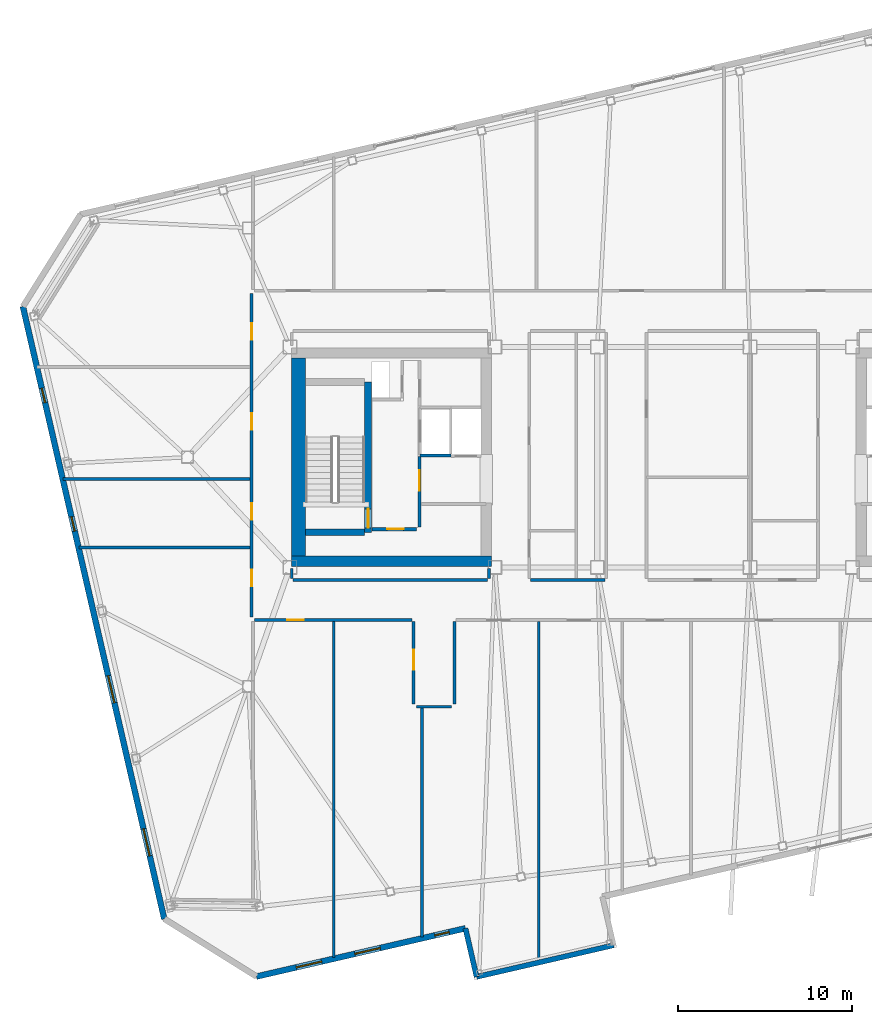
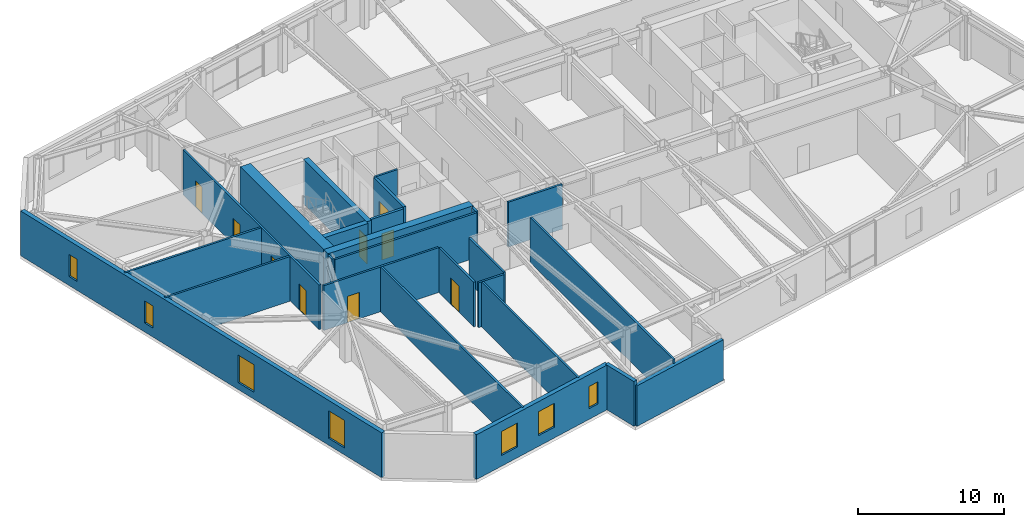
# One storey, part 14 of 21: 25 walls, 9 doors, 7 windows, 16 openings.
"""IFC4 building model written with IfcOpenShell, lengths in metres."""

from ifc_helpers import new_model, si_unit, direction, frame, frame_2d, origin, place, context, subcontext, project, spatial, rectangle, extrude, material, layer, layer_set, type_object, element, fill, save


model = new_model("IFC4")

# Units and contexts
model_context = context("Model", 3, precision=1e-05, world=origin(), true_north=direction((0.0, 1.0)))
body_context = subcontext(model_context, "Body", "Model", "MODEL_VIEW")
ifc_project = project(units=[si_unit("LENGTHUNIT", "METRE"), si_unit("AREAUNIT", "SQUARE_METRE"), si_unit("VOLUMEUNIT", "CUBIC_METRE"), si_unit("PLANEANGLEUNIT", "RADIAN"), si_unit("MASSUNIT", "GRAM", prefix="KILO")], contexts=[model_context])

# Site, building, storey
site_placement = place(None, origin())
site = spatial("IfcSite", under=ifc_project, at=site_placement, CompositionType="ELEMENT")
building_placement = place(site_placement, origin())
building = spatial("IfcBuilding", under=site, at=building_placement, Name="Tavrogorsk Clinical Tower", CompositionType="ELEMENT")
storey_placement = place(building_placement, frame((0.0, 0.0, 285.0)))
storey = spatial("IfcBuildingStorey", under=building, at=storey_placement, Name="L66", CompositionType="ELEMENT", Elevation=285.0)

# Wall, opening, door
ifc_material_1 = material(Name="Concrete B60", Category="concrete")
ifc_layer_1 = layer(ifc_material_1, 0.199951171875)
ifc_layer_set_1 = layer_set([ifc_layer_1], Name="Concrete B60")
wall_type_1 = type_object("IfcWallType", Name="CoreFireWall_200", PredefinedType="SOLIDWALL", material=ifc_layer_set_1)
wall_1_placement = place(storey_placement, frame((-17.3798828125, -4.139892578125, 0.0), z_axis=(0.0, 0.0, 1.0), x_axis=(1.0, 0.0, 0.0)))
wall_1 = element("IfcWall", 1, at=wall_1_placement, inside=storey, type_object=wall_type_1, Name="L66 Core West South Core Room Fire Wall", PredefinedType="SOLIDWALL", context=body_context, shape_type="SweptSolid", body=[
    extrude(rectangle(XDim=2.554931640625, YDim=0.199951171875, at=frame_2d((1.27734375, 0.0))), origin(), (0.0, 0.0, 1.0), 3.739990234375),
])
opening_1_placement = place(wall_1_placement, frame((0.8798828125, 0.0, 0.0)))
opening_1 = element("IfcOpeningElement", 2, at=opening_1_placement, cuts=wall_1, Name="Opening ID-02", PredefinedType="OPENING", context=body_context, shape_type="SweptSolid", body=[
    extrude(rectangle(XDim=0.949951171875, YDim=2.199951171875, at=frame_2d((0.47509765625, 1.10009765625))), frame((0.0, 0.10986328125, 0.0), z_axis=(0.0, -1.0, 0.0), x_axis=(1.0, 0.0, 0.0)), (0.0, 0.0, 1.0), 0.219970703125),
])
ifc_material_2 = material(Name="Laminated timber leaf on aluminium frame", Category="wood")
door_type_1 = type_object("IfcDoorType", Name="InteriorDoor_ID02_950", OperationType="NOTDEFINED", PredefinedType="DOOR", material=ifc_material_2)
door_1_placement = place(opening_1_placement, origin())
door_1 = element("IfcDoor", 3, at=door_1_placement, inside=storey, type_object=door_type_1, Name="L66 Core West South Core Room Door", OperationType="SINGLE_SWING_RIGHT", OverallHeight=2.199951171875, OverallWidth=0.949951171875, PredefinedType="DOOR", context=body_context, shape_type="SweptSolid", body=[
    extrude(rectangle(XDim=0.949951171875, YDim=2.199951171875, at=frame_2d((0.47509765625, 1.10009765625))), frame((0.0, 0.02490234375, 0.0), z_axis=(0.0, -1.0, 0.0), x_axis=(1.0, 0.0, 0.0)), (0.0, 0.0, 1.0), 0.050048828125),
])
fill(opening_1, door_1)

wall_2_placement = place(storey_placement, frame((-14.639892578125, -4.034912109375, 0.0), z_axis=(0.0, 0.0, 1.0), x_axis=(0.0, 1.0, 0.0)))
wall_2 = element("IfcWall", 4, at=wall_2_placement, inside=storey, type_object=wall_type_1, Name="L66 Core West Firefighting Lobby Fire Wall", PredefinedType="SOLIDWALL", context=body_context, shape_type="SweptSolid", body=[
    extrude(rectangle(XDim=4.074951171875, YDim=0.199951171875, at=frame_2d((2.03759765625, 0.0))), origin(), (0.0, 0.0, 1.0), 3.739990234375),
])
opening_2_placement = place(wall_2_placement, frame((2.090087890625, 0.0, 0.0)))
opening_2 = element("IfcOpeningElement", 5, at=opening_2_placement, cuts=wall_2, Name="Opening FD-01", PredefinedType="OPENING", context=body_context, shape_type="SweptSolid", body=[
    extrude(rectangle(XDim=1.199951171875, YDim=2.199951171875, at=frame_2d((0.60009765625, 1.10009765625))), frame((0.0, 0.10986328125, 0.0), z_axis=(0.0, -1.0, 0.0), x_axis=(1.0, 0.0, 0.0)), (0.0, 0.0, 1.0), 0.219970703125),
])
ifc_material_3 = material(Name="Galvanised steel fire-rated door assembly", Category="steel")
door_type_2 = type_object("IfcDoorType", Name="FireDoor_FD01_1200", OperationType="NOTDEFINED", PredefinedType="DOOR", material=ifc_material_3)
door_2_placement = place(opening_2_placement, origin())
door_2 = element("IfcDoor", 6, at=door_2_placement, inside=storey, type_object=door_type_2, Name="L66 Core West Firefighting Lobby Entry Door", OperationType="SINGLE_SWING_RIGHT", OverallHeight=2.199951171875, OverallWidth=1.199951171875, PredefinedType="DOOR", context=body_context, shape_type="SweptSolid", body=[
    extrude(rectangle(XDim=1.199951171875, YDim=2.199951171875, at=frame_2d((0.60009765625, 1.10009765625))), frame((0.0, 0.02490234375, 0.0), z_axis=(0.0, -1.0, 0.0), x_axis=(1.0, 0.0, 0.0)), (0.0, 0.0, 1.0), 0.050048828125),
])
fill(opening_2, door_2)

# Wall, openings, doors
ifc_material_4 = material(Name="Lightweight concrete blockwork B15", Category="masonry")
ifc_layer_2 = layer(ifc_material_4, 0.159912109375)
ifc_layer_set_2 = layer_set([ifc_layer_2], Name="Lightweight concrete blockwork B15")
wall_type_2 = type_object("IfcWallType", Name="PartitionWall_160", PredefinedType="PARTITIONING", material=ifc_layer_set_2)
wall_3_placement = place(storey_placement, frame((-24.31005859375, -9.215087890625, 0.0), z_axis=(0.0, 0.0, 1.0), x_axis=(0.0, 1.0, 0.0)))
wall_3 = element("IfcWall", 7, at=wall_3_placement, inside=storey, type_object=wall_type_2, Name="L66 Corridor Partition 01", PredefinedType="PARTITIONING", context=body_context, shape_type="SweptSolid", body=[
    extrude(rectangle(XDim=18.630126953125, YDim=0.159912109375, at=frame_2d((9.31494140625, 0.0))), origin(), (0.0, 0.0, 1.0), 3.739990234375),
])
opening_3_placement = place(wall_3_placement, frame((1.76904296875, 0.0, 0.0)))
opening_3 = element("IfcOpeningElement", 8, at=opening_3_placement, cuts=wall_3, Name="Opening ID-02", PredefinedType="OPENING", context=body_context, shape_type="SweptSolid", body=[
    extrude(rectangle(XDim=0.949951171875, YDim=2.199951171875, at=frame_2d((0.47509765625, 1.10009765625))), frame((0.0, 0.08984375, 0.0), z_axis=(0.0, -1.0, 0.0), x_axis=(1.0, 0.0, 0.0)), (0.0, 0.0, 1.0), 0.179931640625),
])
opening_4_placement = place(wall_3_placement, frame((5.60009765625, 0.0, 0.0)))
opening_4 = element("IfcOpeningElement", 9, at=opening_4_placement, cuts=wall_3, Name="Opening ID-02", PredefinedType="OPENING", context=body_context, shape_type="SweptSolid", body=[
    extrude(rectangle(XDim=0.949951171875, YDim=2.199951171875, at=frame_2d((0.47509765625, 1.10009765625))), frame((0.0, 0.08984375, 0.0), z_axis=(0.0, -1.0, 0.0), x_axis=(1.0, 0.0, 0.0)), (0.0, 0.0, 1.0), 0.179931640625),
])
opening_5_placement = place(wall_3_placement, frame((10.800048828125, 0.0, 0.0)))
opening_5 = element("IfcOpeningElement", 10, at=opening_5_placement, cuts=wall_3, Name="Opening ID-02", PredefinedType="OPENING", context=body_context, shape_type="SweptSolid", body=[
    extrude(rectangle(XDim=0.949951171875, YDim=2.199951171875, at=frame_2d((0.47509765625, 1.10009765625))), frame((0.0, 0.08984375, 0.0), z_axis=(0.0, -1.0, 0.0), x_axis=(1.0, 0.0, 0.0)), (0.0, 0.0, 1.0), 0.179931640625),
])
opening_6_placement = place(wall_3_placement, frame((15.98095703125, 0.0, 0.0)))
opening_6 = element("IfcOpeningElement", 11, at=opening_6_placement, cuts=wall_3, Name="Opening ID-02", PredefinedType="OPENING", context=body_context, shape_type="SweptSolid", body=[
    extrude(rectangle(XDim=0.949951171875, YDim=2.199951171875, at=frame_2d((0.47509765625, 1.10009765625))), frame((0.0, 0.08984375, 0.0), z_axis=(0.0, -1.0, 0.0), x_axis=(1.0, 0.0, 0.0)), (0.0, 0.0, 1.0), 0.179931640625),
])
door_3_placement = place(opening_3_placement, origin())
door_3 = element("IfcDoor", 12, at=door_3_placement, inside=storey, type_object=door_type_1, Name="L66 W Solarium Day Room & Lounge 1 Door", OperationType="SINGLE_SWING_LEFT", OverallHeight=2.199951171875, OverallWidth=0.949951171875, PredefinedType="DOOR", context=body_context, shape_type="SweptSolid", body=[
    extrude(rectangle(XDim=0.949951171875, YDim=2.199951171875, at=frame_2d((0.47509765625, 1.10009765625))), frame((0.0, 0.02490234375, 0.0), z_axis=(0.0, -1.0, 0.0), x_axis=(1.0, 0.0, 0.0)), (0.0, 0.0, 1.0), 0.050048828125),
])
fill(opening_3, door_3)
door_4_placement = place(opening_4_placement, origin())
door_4 = element("IfcDoor", 13, at=door_4_placement, inside=storey, type_object=door_type_1, Name="L66 W Rehabilitation Therapy Suite 2 Door", OperationType="SINGLE_SWING_RIGHT", OverallHeight=2.199951171875, OverallWidth=0.949951171875, PredefinedType="DOOR", context=body_context, shape_type="SweptSolid", body=[
    extrude(rectangle(XDim=0.949951171875, YDim=2.199951171875, at=frame_2d((0.47509765625, 1.10009765625))), frame((0.0, 0.02490234375, 0.0), z_axis=(0.0, -1.0, 0.0), x_axis=(1.0, 0.0, 0.0)), (0.0, 0.0, 1.0), 0.050048828125),
])
fill(opening_4, door_4)
door_5_placement = place(opening_5_placement, origin())
door_5 = element("IfcDoor", 14, at=door_5_placement, inside=storey, type_object=door_type_1, Name="L66 W Sub-Acute Observation Suite 3 Door", OperationType="SINGLE_SWING_LEFT", OverallHeight=2.199951171875, OverallWidth=0.949951171875, PredefinedType="DOOR", context=body_context, shape_type="SweptSolid", body=[
    extrude(rectangle(XDim=0.949951171875, YDim=2.199951171875, at=frame_2d((0.47509765625, 1.10009765625))), frame((0.0, 0.02490234375, 0.0), z_axis=(0.0, -1.0, 0.0), x_axis=(1.0, 0.0, 0.0)), (0.0, 0.0, 1.0), 0.050048828125),
])
fill(opening_5, door_5)
door_6_placement = place(opening_6_placement, origin())
door_6 = element("IfcDoor", 15, at=door_6_placement, inside=storey, type_object=door_type_1, Name="L66 W Family Consultation Lounge 4 Door", OperationType="SINGLE_SWING_RIGHT", OverallHeight=2.199951171875, OverallWidth=0.949951171875, PredefinedType="DOOR", context=body_context, shape_type="SweptSolid", body=[
    extrude(rectangle(XDim=0.949951171875, YDim=2.199951171875, at=frame_2d((0.47509765625, 1.10009765625))), frame((0.0, 0.02490234375, 0.0), z_axis=(0.0, -1.0, 0.0), x_axis=(1.0, 0.0, 0.0)), (0.0, 0.0, 1.0), 0.050048828125),
])
fill(opening_6, door_6)

# Walls
wall_4_placement = place(storey_placement, frame((-12.6201171875, -9.465087890625, 0.0), z_axis=(0.0, 0.0, 1.0), x_axis=(0.0, -1.0, 0.0)))
element("IfcWall", 16, at=wall_4_placement, inside=storey, type_object=wall_type_2, Name="L66 Corridor Partition 05", PredefinedType="PARTITIONING", context=body_context, shape_type="SweptSolid", body=[
    extrude(rectangle(XDim=4.75, YDim=0.159912109375, at=frame_2d((2.375, 0.0))), origin(), (0.0, 0.0, 1.0), 3.739990234375),
])
wall_5_placement = place(storey_placement, frame((-12.784912109375, -14.3798828125, 0.0), z_axis=(0.0, 0.0, 1.0), x_axis=(-1.0, 0.0, 0.0)))
element("IfcWall", 17, at=wall_5_placement, inside=storey, type_object=wall_type_2, Name="L66 Corridor Partition 06", PredefinedType="PARTITIONING", context=body_context, shape_type="SweptSolid", body=[
    extrude(rectangle(XDim=2.030029296875, YDim=0.159912109375, at=frame_2d((1.01513671875, 0.0))), origin(), (0.0, 0.0, 1.0), 3.739990234375),
])

# Wall, opening, door
wall_6_placement = place(storey_placement, frame((-14.97998046875, -14.215087890625, 0.0), z_axis=(0.0, 0.0, 1.0), x_axis=(0.0, 1.0, 0.0)))
wall_6 = element("IfcWall", 18, at=wall_6_placement, inside=storey, type_object=wall_type_2, Name="L66 Corridor Partition 07", PredefinedType="PARTITIONING", context=body_context, shape_type="SweptSolid", body=[
    extrude(rectangle(XDim=4.75, YDim=0.159912109375, at=frame_2d((2.375, 0.0))), origin(), (0.0, 0.0, 1.0), 3.739990234375),
])
opening_7_placement = place(wall_6_placement, frame((1.985107421875, 0.0, 0.0)))
opening_7 = element("IfcOpeningElement", 19, at=opening_7_placement, cuts=wall_6, Name="Opening ID-06", PredefinedType="OPENING", context=body_context, shape_type="SweptSolid", body=[
    extrude(rectangle(XDim=1.14990234375, YDim=2.199951171875, at=frame_2d((0.574951171875, 1.10009765625))), frame((0.0, 0.08984375, 0.0), z_axis=(0.0, -1.0, 0.0), x_axis=(1.0, 0.0, 0.0)), (0.0, 0.0, 1.0), 0.179931640625),
])
ifc_material_5 = material(Name="Antibacterial HPL procedure door on aluminium frame", Category="aluminium")
door_type_3 = type_object("IfcDoorType", Name="LabDoor_ID06_1150", OperationType="NOTDEFINED", PredefinedType="DOOR", material=ifc_material_5)
door_7_placement = place(opening_7_placement, origin())
door_7 = element("IfcDoor", 20, at=door_7_placement, inside=storey, type_object=door_type_3, Name="L66 South Attending Physician Office 02 Door", OperationType="SINGLE_SWING_RIGHT", OverallHeight=2.199951171875, OverallWidth=1.14990234375, PredefinedType="DOOR", context=body_context, shape_type="SweptSolid", body=[
    extrude(rectangle(XDim=1.14990234375, YDim=2.199951171875, at=frame_2d((0.574951171875, 1.10009765625))), frame((0.0, 0.02490234375, 0.0), z_axis=(0.0, -1.0, 0.0), x_axis=(1.0, 0.0, 0.0)), (0.0, 0.0, 1.0), 0.050048828125),
])
fill(opening_7, door_7)

wall_7_placement = place(storey_placement, frame((-15.06494140625, -9.3798828125, 0.0), z_axis=(0.0, 0.0, 1.0), x_axis=(-1.0, 0.0, 0.0)))
wall_7 = element("IfcWall", 21, at=wall_7_placement, inside=storey, type_object=wall_type_2, Name="L66 Corridor Partition 08", PredefinedType="PARTITIONING", context=body_context, shape_type="SweptSolid", body=[
    extrude(rectangle(XDim=9.080078125, YDim=0.159912109375, at=frame_2d((4.5400390625, 0.0))), origin(), (0.0, 0.0, 1.0), 3.739990234375),
])
opening_8_placement = place(wall_7_placement, frame((6.255859375, 0.0, 0.0)))
opening_8 = element("IfcOpeningElement", 22, at=opening_8_placement, cuts=wall_7, Name="Opening ID-02", PredefinedType="OPENING", context=body_context, shape_type="SweptSolid", body=[
    extrude(rectangle(XDim=0.949951171875, YDim=2.199951171875, at=frame_2d((0.47509765625, 1.10009765625))), frame((0.0, 0.08984375, 0.0), z_axis=(0.0, -1.0, 0.0), x_axis=(1.0, 0.0, 0.0)), (0.0, 0.0, 1.0), 0.179931640625),
])
door_8_placement = place(opening_8_placement, origin())
door_8 = element("IfcDoor", 23, at=door_8_placement, inside=storey, type_object=door_type_1, Name="L66 South Cardiology Diagnostics Room 01 Door", OperationType="SINGLE_SWING_LEFT", OverallHeight=2.199951171875, OverallWidth=0.949951171875, PredefinedType="DOOR", context=body_context, shape_type="SweptSolid", body=[
    extrude(rectangle(XDim=0.949951171875, YDim=2.199951171875, at=frame_2d((0.47509765625, 1.10009765625))), frame((0.0, 0.02490234375, 0.0), z_axis=(0.0, -1.0, 0.0), x_axis=(1.0, 0.0, 0.0)), (0.0, 0.0, 1.0), 0.050048828125),
])
fill(opening_8, door_8)

# Walls
wall_8_placement = place(storey_placement, frame((-8.235107421875, -7.070068359375, 0.0), z_axis=(0.0, 0.0, 1.0), x_axis=(1.0, 0.0, 0.0)))
element("IfcWall", 24, at=wall_8_placement, inside=storey, type_object=wall_type_2, Name="L66 Corridor Partition 22", PredefinedType="PARTITIONING", context=body_context, shape_type="SweptSolid", body=[
    extrude(rectangle(XDim=4.27001953125, YDim=0.159912109375, at=frame_2d((2.135009765625, 0.0))), origin(), (0.0, 0.0, 1.0), 3.739990234375),
])
for number, where, z_axis, x_axis, name in (
    (25, (-10.6298828125, -6.985107421875, 0.0), (0.0, 0.0, 1.0), (0.0, 1.0, 0.0), "L66 Corridor Partition 23"),
    (26, (-22.0, -6.419921875, 0.0), (0.0, 0.0, 1.0), (0.0, -1.0, 0.0), "L66 Corridor Partition 27"),
):
    element("IfcWall", number, at=place(storey_placement, frame(where, z_axis=z_axis, x_axis=x_axis)), inside=storey, type_object=wall_type_2, Name=name, PredefinedType="PARTITIONING", context=body_context, shape_type="SweptSolid", body=[
        extrude(rectangle(XDim=0.565185546875, YDim=0.159912109375, at=frame_2d((0.28271484375, 0.0))), origin(), (0.0, 0.0, 1.0), 3.739990234375),
    ])
wall_9_placement = place(storey_placement, frame((-21.9150390625, -7.070068359375, 0.0), z_axis=(0.0, 0.0, 1.0), x_axis=(1.0, 0.0, 0.0)))
element("IfcWall", 27, at=wall_9_placement, inside=storey, type_object=wall_type_2, Name="L66 Corridor Partition 28", PredefinedType="PARTITIONING", context=body_context, shape_type="SweptSolid", body=[
    extrude(rectangle(XDim=11.199951171875, YDim=0.159912109375, at=frame_2d((5.60009765625, 0.0))), origin(), (0.0, 0.0, 1.0), 3.739990234375),
])
wall_10_placement = place(storey_placement, frame((-19.580078125, -28.817138671875, 0.0), z_axis=(0.0, 0.0, 1.0), x_axis=(0.0, 1.0, 0.0)))
element("IfcWall", 28, at=wall_10_placement, inside=storey, type_object=wall_type_2, Name="L66 South Room Partition 1", PredefinedType="PARTITIONING", context=body_context, shape_type="SweptSolid", body=[
    extrude(rectangle(XDim=19.35205078125, YDim=0.159912109375, at=frame_2d((9.676025390625, 0.0))), origin(), (0.0, 0.0, 1.0), 3.739990234375),
])
wall_11_placement = place(storey_placement, frame((-14.5, -27.644287109375, 0.0), z_axis=(0.0, 0.0, 1.0), x_axis=(0.0, 1.0, 0.0)))
element("IfcWall", 29, at=wall_11_placement, inside=storey, type_object=wall_type_2, Name="L66 South Room Partition 2", PredefinedType="PARTITIONING", context=body_context, shape_type="SweptSolid", body=[
    extrude(rectangle(XDim=13.25927734375, YDim=0.159912109375, at=frame_2d((6.629638671875, 0.0))), origin(), (0.0, 0.0, 1.0), 3.739990234375),
])
wall_12_placement = place(storey_placement, frame((-7.77001953125, -29.015380859375, 0.0), z_axis=(0.0, 0.0, 1.0), x_axis=(0.0, 1.0, 0.0)))
element("IfcWall", 30, at=wall_12_placement, inside=storey, type_object=wall_type_2, Name="L66 South Sub-Partition 3", PredefinedType="PARTITIONING", context=body_context, shape_type="SweptSolid", body=[
    extrude(rectangle(XDim=19.55029296875, YDim=0.159912109375, at=frame_2d((9.775146484375, 0.0))), origin(), (0.0, 0.0, 1.0), 3.739990234375),
])
wall_13_placement = place(storey_placement, frame((-34.26171875, -5.199951171875, 0.0), z_axis=(0.0, 0.0, 1.0), x_axis=(1.0, 0.0, 0.0)))
element("IfcWall", 31, at=wall_13_placement, inside=storey, type_object=wall_type_2, Name="L66 W Wing Divider 1", PredefinedType="PARTITIONING", context=body_context, shape_type="SweptSolid", body=[
    extrude(rectangle(XDim=9.86669921875, YDim=0.159912109375, at=frame_2d((4.933349609375, 0.0))), origin(), (0.0, 0.0, 1.0), 3.739990234375),
])
wall_14_placement = place(storey_placement, frame((-35.173583984375, -1.25, 0.0), z_axis=(0.0, 0.0, 1.0), x_axis=(1.0, 0.0, 0.0)))
element("IfcWall", 32, at=wall_14_placement, inside=storey, type_object=wall_type_2, Name="L66 W Wing Divider 2", PredefinedType="PARTITIONING", context=body_context, shape_type="SweptSolid", body=[
    extrude(rectangle(XDim=10.778564453125, YDim=0.159912109375, at=frame_2d((5.38916015625, 0.0))), origin(), (0.0, 0.0, 1.0), 3.739990234375),
])

# Wall, openings, windows
ifc_material_6 = material(Name="Precast concrete B45 with limestone cladding", Category="masonry")
ifc_layer_3 = layer(ifc_material_6, 0.340087890625)
ifc_layer_set_3 = layer_set([ifc_layer_3], Name="Precast concrete B45 with limestone cladding")
wall_type_3 = type_object("IfcWallType", Name="PrecastLimestoneWall_340", PredefinedType="STANDARD", material=ifc_layer_set_3)
wall_15_placement = place(storey_placement, frame((-24.029541015625, -29.916259765625, 0.0), z_axis=(0.0, 0.0, 1.0), x_axis=(0.974371201193, 0.224946131964, 0.0)))
wall_15 = element("IfcWall", 33, at=wall_15_placement, inside=storey, type_object=wall_type_3, Name="L66 S Limestone Facade Wall 1", PredefinedType="STANDARD", context=body_context, shape_type="SweptSolid", body=[
    extrude(rectangle(XDim=12.349853515625, YDim=0.340087890625, at=frame_2d((6.1748046875, 0.0))), origin(), (0.0, 0.0, 1.0), 3.739990234375),
])
opening_9_placement = place(wall_15_placement, frame((2.35009765625, 0.0, 0.89990234375)))
opening_9 = element("IfcOpeningElement", 34, at=opening_9_placement, cuts=wall_15, Name="Opening WN-05", PredefinedType="OPENING", context=body_context, shape_type="SweptSolid", body=[
    extrude(rectangle(XDim=1.5, YDim=2.0, at=frame_2d((0.75, 1.0))), frame((0.0, 0.179931640625, 0.0), z_axis=(0.0, -1.0, 0.0), x_axis=(1.0, 0.0, 0.0)), (0.0, 0.0, 1.0), 0.360107421875),
])
opening_10_placement = place(wall_15_placement, frame((5.81689453125, 0.0, 0.89990234375)))
opening_10 = element("IfcOpeningElement", 35, at=opening_10_placement, cuts=wall_15, Name="Opening WN-05", PredefinedType="OPENING", context=body_context, shape_type="SweptSolid", body=[
    extrude(rectangle(XDim=1.5, YDim=2.0, at=frame_2d((0.75, 1.0))), frame((0.0, 0.179931640625, 0.0), z_axis=(0.0, -1.0, 0.0), x_axis=(1.0, 0.0, 0.0)), (0.0, 0.0, 1.0), 0.360107421875),
])
opening_11_placement = place(wall_15_placement, frame((10.53662109375, 0.0, 0.89990234375)))
opening_11 = element("IfcOpeningElement", 36, at=opening_11_placement, cuts=wall_15, Name="Opening WN-06", PredefinedType="OPENING", context=body_context, shape_type="SweptSolid", body=[
    extrude(rectangle(XDim=0.85009765625, YDim=1.85009765625, at=frame_2d((0.425048828125, 0.925048828125))), frame((0.0, 0.179931640625, 0.0), z_axis=(0.0, -1.0, 0.0), x_axis=(1.0, 0.0, 0.0)), (0.0, 0.0, 1.0), 0.360107421875),
])
ifc_material_7 = material(Name="Thermally broken aluminium frame and triple IGU", Category="aluminium")
window_type_1 = type_object("IfcWindowType", Name="ConsultWin_1500x2000", PartitioningType="SINGLE_PANEL", PredefinedType="WINDOW", material=ifc_material_7)
window_1_placement = place(opening_9_placement, origin())
window_1 = element("IfcWindow", 37, at=window_1_placement, inside=storey, type_object=window_type_1, Name="L66 S Chicago Window 01", OverallHeight=2.0, OverallWidth=1.5, PartitioningType="SINGLE_PANEL", PredefinedType="WINDOW", context=body_context, shape_type="SweptSolid", body=[
    extrude(rectangle(XDim=1.5, YDim=2.0, at=frame_2d((0.75, 1.0))), frame((0.0, 0.030029296875, 0.0), z_axis=(0.0, -1.0, 0.0), x_axis=(1.0, 0.0, 0.0)), (0.0, 0.0, 1.0), 0.06005859375),
])
fill(opening_9, window_1)
window_2_placement = place(opening_10_placement, origin())
window_2 = element("IfcWindow", 38, at=window_2_placement, inside=storey, type_object=window_type_1, Name="L66 S Chicago Window 02", OverallHeight=2.0, OverallWidth=1.5, PartitioningType="SINGLE_PANEL", PredefinedType="WINDOW", context=body_context, shape_type="SweptSolid", body=[
    extrude(rectangle(XDim=1.5, YDim=2.0, at=frame_2d((0.75, 1.0))), frame((0.0, 0.030029296875, 0.0), z_axis=(0.0, -1.0, 0.0), x_axis=(1.0, 0.0, 0.0)), (0.0, 0.0, 1.0), 0.06005859375),
])
fill(opening_10, window_2)
ifc_material_8 = material(Name="Thermally broken aluminium frame and triple IGU", Category="aluminium")
window_type_2 = type_object("IfcWindowType", Name="MullionSubWin_850x1850", PartitioningType="SINGLE_PANEL", PredefinedType="WINDOW", material=ifc_material_8)
window_3_placement = place(opening_11_placement, origin())
window_3 = element("IfcWindow", 39, at=window_3_placement, inside=storey, type_object=window_type_2, Name="L66 S Mullion Split Window 03B", OverallHeight=1.85009765625, OverallWidth=0.85009765625, PartitioningType="SINGLE_PANEL", PredefinedType="WINDOW", context=body_context, shape_type="SweptSolid", body=[
    extrude(rectangle(XDim=0.85009765625, YDim=1.85009765625, at=frame_2d((0.425048828125, 0.925048828125))), frame((0.0, 0.030029296875, 0.0), z_axis=(0.0, -1.0, 0.0), x_axis=(1.0, 0.0, 0.0)), (0.0, 0.0, 1.0), 0.06005859375),
])
fill(opening_11, window_3)

wall_16_placement = place(storey_placement, frame((-37.48583984375, 8.676025390625, 0.0), z_axis=(0.0, 0.0, 1.0), x_axis=(0.224953091034, -0.974369594576, 0.0)))
wall_16 = element("IfcWall", 40, at=wall_16_placement, inside=storey, type_object=wall_type_3, Name="L66 W Pleated Limestone Wing Wall", PredefinedType="STANDARD", context=body_context, shape_type="SweptSolid", body=[
    extrude(rectangle(XDim=36.199951171875, YDim=0.340087890625, at=frame_2d((18.10009765625, 0.0))), origin(), (0.0, 0.0, 1.0), 3.739990234375),
])
opening_12_placement = place(wall_16_placement, frame((4.824951171875, 0.0, 0.75)))
opening_12 = element("IfcOpeningElement", 41, at=opening_12_placement, cuts=wall_16, Name="Opening WN-06", PredefinedType="OPENING", context=body_context, shape_type="SweptSolid", body=[
    extrude(rectangle(XDim=0.85009765625, YDim=1.85009765625, at=frame_2d((0.425048828125, 0.925048828125))), frame((0.0, 0.179931640625, 0.0), z_axis=(0.0, -1.0, 0.0), x_axis=(1.0, 0.0, 0.0)), (0.0, 0.0, 1.0), 0.360107421875),
])
opening_13_placement = place(wall_16_placement, frame((12.425048828125, 0.0, 0.75)))
opening_13 = element("IfcOpeningElement", 42, at=opening_13_placement, cuts=wall_16, Name="Opening WN-06", PredefinedType="OPENING", context=body_context, shape_type="SweptSolid", body=[
    extrude(rectangle(XDim=0.85009765625, YDim=1.85009765625, at=frame_2d((0.425048828125, 0.925048828125))), frame((0.0, 0.179931640625, 0.0), z_axis=(0.0, -1.0, 0.0), x_axis=(1.0, 0.0, 0.0)), (0.0, 0.0, 1.0), 0.360107421875),
])
opening_14_placement = place(wall_16_placement, frame((21.824951171875, 0.0, 0.580078125)))
opening_14 = element("IfcOpeningElement", 43, at=opening_14_placement, cuts=wall_16, Name="Opening WN-07", PredefinedType="OPENING", context=body_context, shape_type="SweptSolid", body=[
    extrude(rectangle(XDim=1.60009765625, YDim=2.300048828125, at=frame_2d((0.800048828125, 1.14990234375))), frame((0.0, 0.179931640625, 0.0), z_axis=(0.0, -1.0, 0.0), x_axis=(1.0, 0.0, 0.0)), (0.0, 0.0, 1.0), 0.360107421875),
])
opening_15_placement = place(wall_16_placement, frame((30.875, 0.0, 0.580078125)))
opening_15 = element("IfcOpeningElement", 44, at=opening_15_placement, cuts=wall_16, Name="Opening WN-07", PredefinedType="OPENING", context=body_context, shape_type="SweptSolid", body=[
    extrude(rectangle(XDim=1.60009765625, YDim=2.300048828125, at=frame_2d((0.800048828125, 1.14990234375))), frame((0.0, 0.179931640625, 0.0), z_axis=(0.0, -1.0, 0.0), x_axis=(1.0, 0.0, 0.0)), (0.0, 0.0, 1.0), 0.360107421875),
])
window_4_placement = place(opening_12_placement, origin())
window_4 = element("IfcWindow", 45, at=window_4_placement, inside=storey, type_object=window_type_2, Name="L66 W Pleat Mullion Window 1B", OverallHeight=1.85009765625, OverallWidth=0.85009765625, PartitioningType="SINGLE_PANEL", PredefinedType="WINDOW", context=body_context, shape_type="SweptSolid", body=[
    extrude(rectangle(XDim=0.85009765625, YDim=1.85009765625, at=frame_2d((0.425048828125, 0.925048828125))), frame((0.0, 0.030029296875, 0.0), z_axis=(0.0, -1.0, 0.0), x_axis=(1.0, 0.0, 0.0)), (0.0, 0.0, 1.0), 0.06005859375),
])
fill(opening_12, window_4)
window_5_placement = place(opening_13_placement, origin())
window_5 = element("IfcWindow", 46, at=window_5_placement, inside=storey, type_object=window_type_2, Name="L66 W Pleat Mullion Window 2A", OverallHeight=1.85009765625, OverallWidth=0.85009765625, PartitioningType="SINGLE_PANEL", PredefinedType="WINDOW", context=body_context, shape_type="SweptSolid", body=[
    extrude(rectangle(XDim=0.85009765625, YDim=1.85009765625, at=frame_2d((0.425048828125, 0.925048828125))), frame((0.0, 0.030029296875, 0.0), z_axis=(0.0, -1.0, 0.0), x_axis=(1.0, 0.0, 0.0)), (0.0, 0.0, 1.0), 0.06005859375),
])
fill(opening_13, window_5)
ifc_material_9 = material(Name="Thermally broken aluminium frame and triple IGU", Category="aluminium")
window_type_3 = type_object("IfcWindowType", Name="PleatSlotWin_1600x2300", PartitioningType="SINGLE_PANEL", PredefinedType="WINDOW", material=ifc_material_9)
window_6_placement = place(opening_14_placement, origin())
window_6 = element("IfcWindow", 47, at=window_6_placement, inside=storey, type_object=window_type_3, Name="L66 W Pleat Slot Window 3", OverallHeight=2.300048828125, OverallWidth=1.60009765625, PartitioningType="SINGLE_PANEL", PredefinedType="WINDOW", context=body_context, shape_type="SweptSolid", body=[
    extrude(rectangle(XDim=1.60009765625, YDim=2.300048828125, at=frame_2d((0.800048828125, 1.14990234375))), frame((0.0, 0.030029296875, 0.0), z_axis=(0.0, -1.0, 0.0), x_axis=(1.0, 0.0, 0.0)), (0.0, 0.0, 1.0), 0.06005859375),
])
fill(opening_14, window_6)
window_7_placement = place(opening_15_placement, origin())
window_7 = element("IfcWindow", 48, at=window_7_placement, inside=storey, type_object=window_type_3, Name="L66 W Pleat Slot Window 4", OverallHeight=2.300048828125, OverallWidth=1.60009765625, PartitioningType="SINGLE_PANEL", PredefinedType="WINDOW", context=body_context, shape_type="SweptSolid", body=[
    extrude(rectangle(XDim=1.60009765625, YDim=2.300048828125, at=frame_2d((0.800048828125, 1.14990234375))), frame((0.0, 0.030029296875, 0.0), z_axis=(0.0, -1.0, 0.0), x_axis=(1.0, 0.0, 0.0)), (0.0, 0.0, 1.0), 0.06005859375),
])
fill(opening_15, window_7)

# Walls
wall_17_placement = place(storey_placement, frame((-11.3505859375, -29.9345703125, 0.0), z_axis=(0.0, 0.0, 1.0), x_axis=(0.974366807022, 0.224965164799, 0.0)))
element("IfcWall", 49, at=wall_17_placement, inside=storey, type_object=wall_type_3, Name="L66 Day-Room Limestone Front DRB-09", PredefinedType="STANDARD", context=body_context, shape_type="SweptSolid", body=[
    extrude(rectangle(XDim=8.10009765625, YDim=0.300048828125, at=frame_2d((4.050048828125, 0.0))), origin(), (0.0, 0.0, 1.0), 3.385009765625),
])
ifc_material_10 = material(Name="Lightweight concrete blockwork B25", Category="masonry")
ifc_layer_4 = layer(ifc_material_10, 0.159912109375)
ifc_layer_set_4 = layer_set([ifc_layer_4], Name="Lightweight concrete blockwork B25")
wall_type_4 = type_object("IfcWallType", Name="ShaftWall_160", PredefinedType="PARTITIONING", material=ifc_layer_set_4)
wall_18_placement = place(storey_placement, frame((-14.60009765625, 0.10009765625, 0.0), z_axis=(0.0, 0.0, 1.0), x_axis=(1.0, 0.0, 0.0)))
element("IfcWall", 50, at=wall_18_placement, inside=storey, type_object=wall_type_4, Name="L66 FFL-W Shaft South Wall", PredefinedType="PARTITIONING", context=body_context, shape_type="SweptSolid", body=[
    extrude(rectangle(XDim=1.760009765625, YDim=0.159912109375, at=frame_2d((0.8798828125, 0.0))), origin(), (0.0, 0.0, 1.0), 3.739990234375),
])

# Wall, opening, door
ifc_material_11 = material(Name="Concrete B80", Category="concrete")
ifc_layer_5 = layer(ifc_material_11, 0.39990234375)
ifc_layer_set_5 = layer_set([ifc_layer_5], Name="Concrete B80")
wall_type_5 = type_object("IfcWallType", Name="ShearWall_400", PredefinedType="SHEAR", material=ifc_layer_set_5)
wall_19_placement = place(storey_placement, frame((-17.60009765625, -4.324951171875, 0.0), z_axis=(0.0, 0.0, 1.0), x_axis=(0.0, 1.0, 0.0)))
wall_19 = element("IfcWall", 51, at=wall_19_placement, inside=storey, type_object=wall_type_5, Name="L66 Core West Stair Shaft Inner Shear Wall", PredefinedType="SHEAR", context=body_context, shape_type="SweptSolid", body=[
    extrude(rectangle(XDim=8.64990234375, YDim=0.39990234375, at=frame_2d((4.324951171875, 0.0))), origin(), (0.0, 0.0, 1.0), 3.739990234375),
])
opening_16_placement = place(wall_19_placement, frame((0.25, 0.0, 0.0)))
opening_16 = element("IfcOpeningElement", 52, at=opening_16_placement, cuts=wall_19, Name="Opening SD-01", PredefinedType="OPENING", context=body_context, shape_type="SweptSolid", body=[
    extrude(rectangle(XDim=1.10009765625, YDim=2.199951171875, at=frame_2d((0.550048828125, 1.10009765625))), frame((0.0, 0.2099609375, 0.0), z_axis=(0.0, -1.0, 0.0), x_axis=(1.0, 0.0, 0.0)), (0.0, 0.0, 1.0), 0.419921875),
])
ifc_material_12 = material(Name="Galvanised steel smoke-tight fire door assembly", Category="steel")
door_type_4 = type_object("IfcDoorType", Name="StairFireDoor_SD01_1100", OperationType="NOTDEFINED", PredefinedType="DOOR", material=ifc_material_12)
door_9_placement = place(opening_16_placement, origin())
door_9 = element("IfcDoor", 53, at=door_9_placement, inside=storey, type_object=door_type_4, Name="L66 ST-W Exit Stair Door", OperationType="SINGLE_SWING_LEFT", OverallHeight=2.199951171875, OverallWidth=1.10009765625, PredefinedType="DOOR", context=body_context, shape_type="SweptSolid", body=[
    extrude(rectangle(XDim=1.10009765625, YDim=2.199951171875, at=frame_2d((0.550048828125, 1.10009765625))), frame((0.0, 0.02490234375, 0.0), z_axis=(0.0, -1.0, 0.0), x_axis=(1.0, 0.0, 0.0)), (0.0, 0.0, 1.0), 0.050048828125),
])
fill(opening_16, door_9)

# Walls
wall_20_placement = place(storey_placement, frame((-21.199951171875, -4.324951171875, 0.0), z_axis=(0.0, 0.0, 1.0), x_axis=(1.0, 0.0, 0.0)))
element("IfcWall", 54, at=wall_20_placement, inside=storey, type_object=wall_type_5, Name="L66 Core West Stair Shaft South Shear Wall", PredefinedType="SHEAR", context=body_context, shape_type="SweptSolid", body=[
    extrude(rectangle(XDim=3.39990234375, YDim=0.39990234375, at=frame_2d((1.699951171875, 0.0))), origin(), (0.0, 0.0, 1.0), 3.739990234375),
])
ifc_material_13 = material(Name="Concrete B80", Category="concrete")
ifc_layer_6 = layer(ifc_material_13, 0.60009765625)
ifc_layer_set_6 = layer_set([ifc_layer_6], Name="Concrete B80")
wall_type_6 = type_object("IfcWallType", Name="ShearWall_600", PredefinedType="SHEAR", material=ifc_layer_set_6)
wall_21_placement = place(storey_placement, frame((-22.0, -6.0, 0.0), z_axis=(0.0, 0.0, 1.0), x_axis=(1.0, 0.0, 0.0)))
element("IfcWall", 55, at=wall_21_placement, inside=storey, type_object=wall_type_6, Name="L66 Core West South Shear Wall", PredefinedType="SHEAR", context=body_context, shape_type="SweptSolid", body=[
    extrude(rectangle(XDim=11.5, YDim=0.60009765625, at=frame_2d((5.75, 0.0))), origin(), (0.0, 0.0, 1.0), 3.739990234375),
])
ifc_material_14 = material(Name="Concrete B80", Category="concrete")
ifc_layer_7 = layer(ifc_material_14, 0.800048828125)
ifc_layer_set_7 = layer_set([ifc_layer_7], Name="Concrete B80")
wall_type_7 = type_object("IfcWallType", Name="ShearWall_800", PredefinedType="SHEAR", material=ifc_layer_set_7)
wall_22_placement = place(storey_placement, frame((-21.60009765625, -5.699951171875, 0.0), z_axis=(0.0, 0.0, 1.0), x_axis=(0.0, 1.0, 0.0)))
element("IfcWall", 56, at=wall_22_placement, inside=storey, type_object=wall_type_7, Name="L66 Core West End Shear Wall", PredefinedType="SHEAR", context=body_context, shape_type="SweptSolid", body=[
    extrude(rectangle(XDim=11.39990234375, YDim=0.800048828125, at=frame_2d((5.699951171875, 0.0))), origin(), (0.0, 0.0, 1.0), 3.739990234375),
])
ifc_material_15 = material(Name="Precast concrete B45 with mineral wool", Category="concrete")
ifc_layer_8 = layer(ifc_material_15, 0.300048828125)
ifc_layer_set_8 = layer_set([ifc_layer_8], Name="Precast concrete B45 with mineral wool")
wall_type_8 = type_object("IfcWallType", Name="SpandrelBackWall_300", PredefinedType="STANDARD", material=ifc_layer_set_8)
wall_23_placement = place(storey_placement, frame((-11.99609375, -27.13818359375, 0.0), z_axis=(0.0, 0.0, 1.0), x_axis=(0.224921635065, -0.974376856293, 0.0)))
element("IfcWall", 57, at=wall_23_placement, inside=storey, type_object=wall_type_8, Name="L66 Day-Room Cheek Wall DRB-09-L", PredefinedType="STANDARD", context=body_context, shape_type="SweptSolid", body=[
    extrude(rectangle(XDim=2.869873046875, YDim=0.300048828125, at=frame_2d((1.43505859375, 0.0))), origin(), (0.0, 0.0, 1.0), 3.739990234375),
])

save(model, "model.ifc")
